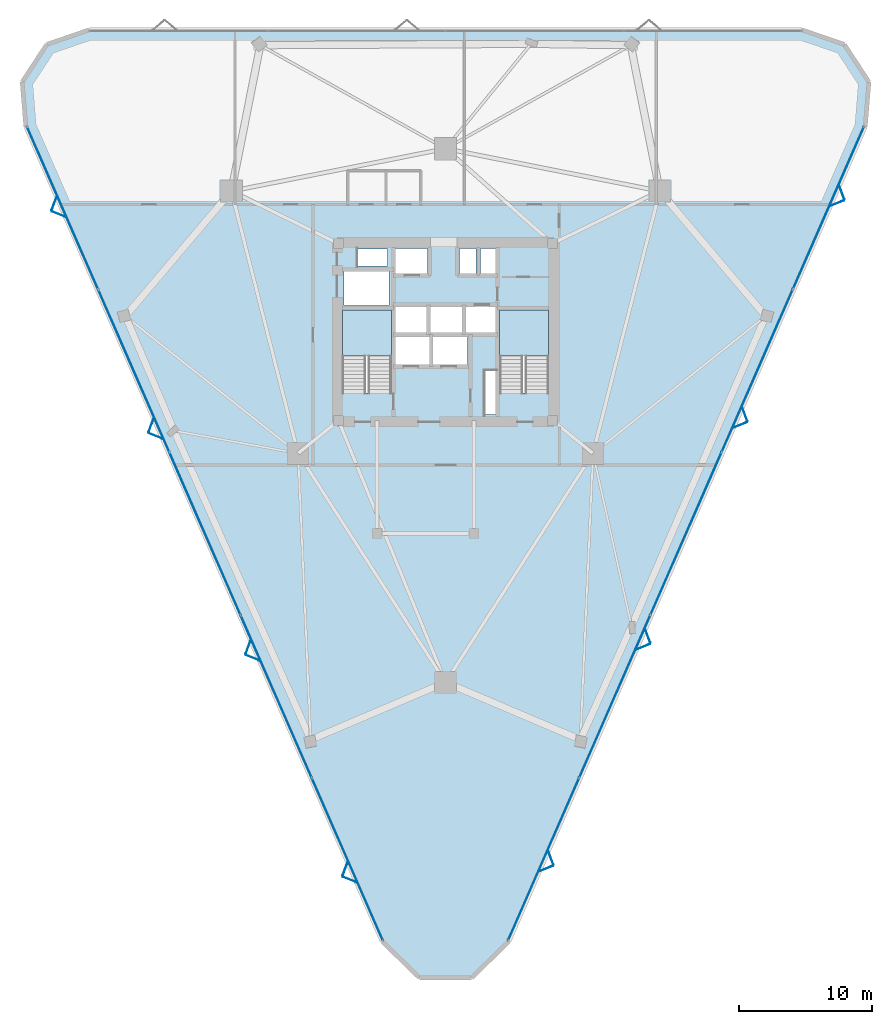
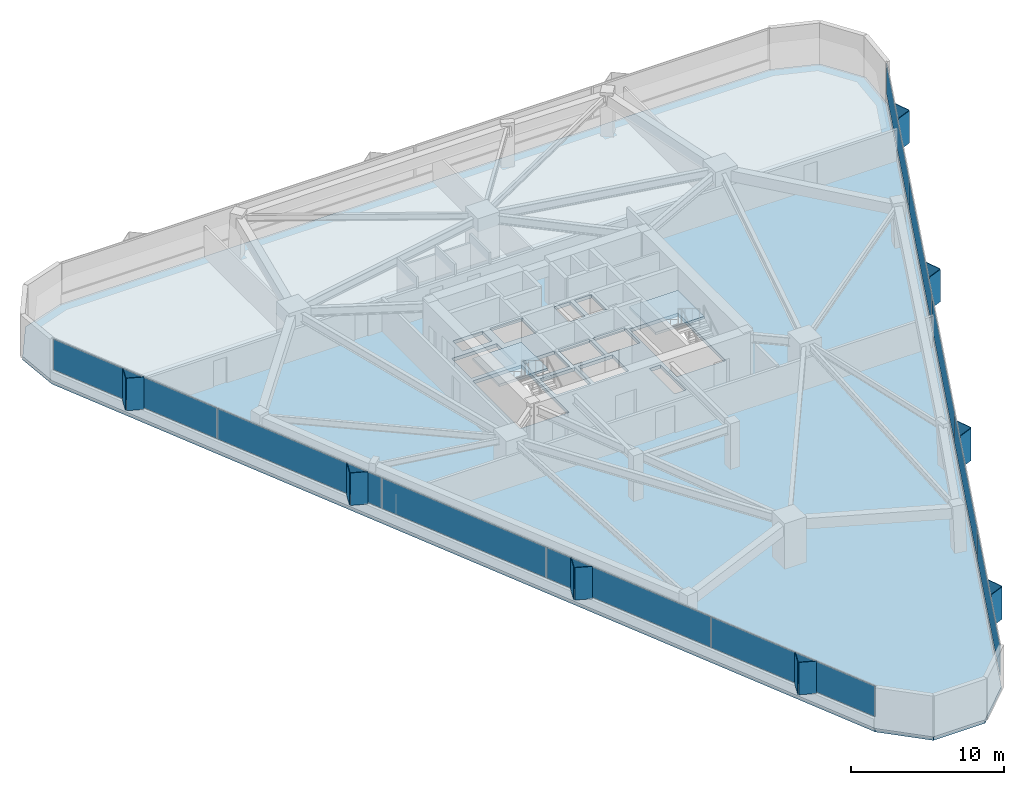
# One storey, part 13 of 20: 26 plates, 3 slabs, 4 elements without a shape of their own.
"""IFC4 building model written with IfcOpenShell, lengths in metres."""

import ifcopenshell
import ifcopenshell.guid

model = None  # the IFC model being written
_history = None  # IfcOwnerHistory: only IFC2X3 demands one
_inside = {}  # id of a spatial element -> (the spatial element, [elements in it])
_under = {}  # id of a project, library or spatial element -> (it, [spatial elements below it])
_declared = {}  # id of a project -> (the project, [libraries it declares])
_typed = {}  # id of a type object -> (the type object, [elements of that type])
_made_of = {}  # id of a material, layer set ... -> (it, [elements and type objects made of it])


def new_model(schema):
    """Start an empty IFC model of exactly this schema.

    Asked for "IFC4X3", IfcOpenShell would pick the latest addendum, in which some entities
    have other attributes; the version numbers below select the first issue.
    IFC2X3 requires an IfcOwnerHistory on every rooted entity: one is made here for all.
    """
    global model, _history
    if schema == "IFC4X3":
        model = ifcopenshell.file(schema_version=(4, 3, 0, 0))
    else:
        model = ifcopenshell.file(schema=schema)
    _inside.clear()
    _under.clear()
    _declared.clear()
    _typed.clear()
    _made_of.clear()
    _history = None
    if model.schema == "IFC2X3":
        org = make("IfcOrganization", Name="unknown")
        user = make(
            "IfcPersonAndOrganization",
            ThePerson=make("IfcPerson", FamilyName="unknown"),
            TheOrganization=org,
        )
        app = make(
            "IfcApplication",
            ApplicationDeveloper=org,
            Version="unknown",
            ApplicationFullName="unknown",
            ApplicationIdentifier="unknown",
        )
        _history = make(
            "IfcOwnerHistory",
            OwningUser=user,
            OwningApplication=app,
            ChangeAction="ADDED",
            CreationDate=0,
        )
    return model


def make(cls, **values):
    """One entity of the class cls with the attributes given. An attribute that is None is left unset."""
    return model.create_entity(
        cls, **{name: value for name, value in values.items() if value is not None}
    )


def rooted(cls, **values):
    """An entity with a GlobalId (a new one), such as an element, a storey or a relation."""
    return make(cls, GlobalId=ifcopenshell.guid.new(), OwnerHistory=_history, **values)


def si_unit(unit_type, name, prefix=None):
    """IfcSIUnit, for example si_unit("LENGTHUNIT", "METRE", prefix="MILLI")."""
    return make("IfcSIUnit", UnitType=unit_type, Prefix=prefix, Name=name)


def assignment(units):
    """IfcUnitAssignment: the units of a project."""
    return None if units is None else make("IfcUnitAssignment", Units=units)


def point(xyz):
    """IfcCartesianPoint."""
    return None if xyz is None else make("IfcCartesianPoint", Coordinates=xyz)


def direction(xyz):
    """IfcDirection."""
    return None if xyz is None else make("IfcDirection", DirectionRatios=xyz)


def frame(location, z_axis=None, x_axis=None):
    """IfcAxis2Placement3D, a coordinate frame: its origin and axes. An axis left out is left unset."""
    return make(
        "IfcAxis2Placement3D",
        Location=point(location),
        Axis=direction(z_axis),
        RefDirection=direction(x_axis),
    )


def frame_2d(location, x_axis=None):
    """IfcAxis2Placement2D, a coordinate frame in the plane: its origin and x axis."""
    return make(
        "IfcAxis2Placement2D", Location=point(location), RefDirection=direction(x_axis)
    )


def origin():
    """The frame at (0, 0, 0) with its axes left unset."""
    return frame((0.0, 0.0, 0.0))


def origin_2d():
    """The frame at (0, 0) in the plane with its x axis left unset."""
    return frame_2d((0.0, 0.0))


def place(relative_to, where):
    """IfcLocalPlacement: puts the frame where relative to a parent placement (None: the world)."""
    return make(
        "IfcLocalPlacement", PlacementRelTo=relative_to, RelativePlacement=where
    )


def context(
    kind, dimensions, precision=None, world=None, true_north=None, identifier=None
):
    """IfcGeometricRepresentationContext, for example the 3D "Model" context."""
    return make(
        "IfcGeometricRepresentationContext",
        ContextIdentifier=identifier,
        ContextType=kind,
        CoordinateSpaceDimension=dimensions,
        Precision=precision,
        WorldCoordinateSystem=world,
        TrueNorth=true_north,
    )


def subcontext(parent, identifier, kind, view, scale=None):
    """IfcGeometricRepresentationSubContext, for example "Body" below "Model"."""
    return make(
        "IfcGeometricRepresentationSubContext",
        ContextIdentifier=identifier,
        ContextType=kind,
        ParentContext=parent,
        TargetScale=scale,
        TargetView=view,
    )


def project(units=None, contexts=None):
    """IfcProject with its units and contexts."""
    return rooted(
        "IfcProject",
        Name="project",
        RepresentationContexts=contexts,
        UnitsInContext=assignment(units),
    )


def spatial(cls, under=None, at=None, **own):
    """A site, building, storey or space (cls), placed at a placement, below another one or the project."""
    s = rooted(cls, ObjectPlacement=at, **own)
    if under is not None:
        _under.setdefault(under.id(), (under, []))[1].append(s)
    return s


def polyline(points):
    """IfcPolyline through the points."""
    return make("IfcPolyline", Points=[point(p) for p in points])


def profile(cls, at=None, kind="AREA", **sizes):
    """A parametric profile (cls). Its sizes go by their IFC names, for example OverallWidth=200.0."""
    return make(cls, ProfileType=kind, Position=at, **sizes)


def rectangle(**sizes):
    """IfcRectangleProfileDef."""
    return profile("IfcRectangleProfileDef", **sizes)


def outline(outer, holes=None, kind="AREA"):
    """IfcArbitraryClosedProfileDef: a profile drawn as a closed curve; with holes, ...WithVoids."""
    if holes is None:
        return make("IfcArbitraryClosedProfileDef", ProfileType=kind, OuterCurve=outer)
    return make(
        "IfcArbitraryProfileDefWithVoids",
        ProfileType=kind,
        OuterCurve=outer,
        InnerCurves=holes,
    )


def extrude(swept, where, along, depth):
    """IfcExtrudedAreaSolid: the profile swept, set in the frame where, extruded along a direction by depth."""
    return make(
        "IfcExtrudedAreaSolid",
        SweptArea=swept,
        Position=where,
        ExtrudedDirection=direction(along),
        Depth=depth,
    )


def shape(context_of_items, identifier, shape_type, items):
    """IfcShapeRepresentation: the items that make up one representation, for example the "Body"."""
    return make(
        "IfcShapeRepresentation",
        ContextOfItems=context_of_items,
        RepresentationIdentifier=identifier,
        RepresentationType=shape_type,
        Items=items,
    )


def material(Name=None, Category=None):
    """IfcMaterial."""
    return make("IfcMaterial", Name=Name, Category=Category)


def layer(
    of_material, thickness, ventilated=None, Name=None, Category=None, Priority=None
):
    """IfcMaterialLayer: one layer of a wall or slab, of a material (None: an air gap)."""
    return make(
        "IfcMaterialLayer",
        Material=of_material,
        LayerThickness=thickness,
        IsVentilated=ventilated,
        Name=Name,
        Category=Category,
        Priority=Priority,
    )


def layer_set(layers, Name=None):
    """IfcMaterialLayerSet."""
    return make("IfcMaterialLayerSet", MaterialLayers=layers, LayerSetName=Name)


def made_of(thing, what):
    """Note that an element or type object is made of a material, layer set ...; save() writes the relation."""
    if what is not None:
        _made_of.setdefault(what.id(), (what, []))[1].append(thing)
    return thing


def type_object(cls, material=None, **own):
    """A type object (cls), such as IfcWallType, which elements share."""
    return made_of(rooted(cls, **own), material)


def element(
    cls,
    number,
    at=None,
    inside=None,
    cuts=None,
    type_object=None,
    material=None,
    context=None,
    identifier="Body",
    shape_type=None,
    held_by="IfcProductDefinitionShape",
    body=None,
    shapes=None,
    **own,
):
    """One element of the class cls, such as IfcWall. Its Tag is "e" and its number.

    at: its placement. inside: the storey or other place that contains it. cuts: it is an
    opening in that element (IfcRelVoidsElement). A single representation is given by context,
    identifier, shape_type and body (its items); several are given by shapes. held_by: the class
    of the entity that holds the representations. save() writes the other relations.
    """
    e = rooted(cls, Tag="e%d" % number, ObjectPlacement=at, **own)
    if body is not None:
        shapes = [shape(context, identifier, shape_type, body)]
    if shapes is not None:
        e.Representation = make(held_by, Representations=shapes)
    if inside is not None:
        _inside.setdefault(inside.id(), (inside, []))[1].append(e)
    if cuts is not None:
        rooted(
            "IfcRelVoidsElement", RelatingBuildingElement=cuts, RelatedOpeningElement=e
        )
    if type_object is not None:
        _typed.setdefault(type_object.id(), (type_object, []))[1].append(e)
    return made_of(e, material)


def aggregate(whole, parts):
    """IfcRelAggregates: a whole, such as a stair, and the parts it consists of."""
    return rooted("IfcRelAggregates", RelatingObject=whole, RelatedObjects=parts)


def save(model, path):
    """Write the relations noted so far, then the file.

    IfcRelAggregates (storeys below a building ...), IfcRelContainedInSpatialStructure (elements
    in a storey), IfcRelDefinesByType, IfcRelAssociatesMaterial and IfcRelDeclares: one each for
    every whole, place, type object, material and project.
    """
    for whole, parts in _under.values():
        aggregate(whole, parts)
    for where, things in _inside.values():
        rooted(
            "IfcRelContainedInSpatialStructure",
            RelatedElements=things,
            RelatingStructure=where,
        )
    for kind, things in _typed.values():
        rooted("IfcRelDefinesByType", RelatedObjects=things, RelatingType=kind)
    for what, things in _made_of.values():
        rooted("IfcRelAssociatesMaterial", RelatedObjects=things, RelatingMaterial=what)
    for by, libraries in _declared.values():
        rooted("IfcRelDeclares", RelatingContext=by, RelatedDefinitions=libraries)
    model.write(path)


model = new_model("IFC4")

# Units and contexts
model_context = context("Model", 3, precision=1e-05, world=origin(), true_north=direction((0.0, 1.0)))
body_context = subcontext(model_context, "Body", "Model", "MODEL_VIEW")
ifc_project = project(units=[si_unit("LENGTHUNIT", "METRE"), si_unit("AREAUNIT", "SQUARE_METRE"), si_unit("VOLUMEUNIT", "CUBIC_METRE"), si_unit("PLANEANGLEUNIT", "RADIAN"), si_unit("MASSUNIT", "GRAM", prefix="KILO")], contexts=[model_context])

# Site, building, storey
site_placement = place(None, origin())
site = spatial("IfcSite", under=ifc_project, at=site_placement, CompositionType="ELEMENT")
building_placement = place(site_placement, origin())
building = spatial("IfcBuilding", under=site, at=building_placement, Name="Talyreon Biosciences Tower", CompositionType="ELEMENT")
storey_placement = place(building_placement, frame((0.0, 0.0, 78.64990234375)))
storey = spatial("IfcBuildingStorey", under=building, at=storey_placement, Name="L20", CompositionType="ELEMENT", Elevation=78.64990234375)

# Curtain wall, plates
ifc_material_1 = material(Name="Thermally broken aluminium and low-E glazing", Category="aluminium")
ifc_layer_1 = layer(ifc_material_1, 0.18994140625)
ifc_layer_set_1 = layer_set([ifc_layer_1], Name="Thermally broken aluminium and low-E glazing")
curtain_wall_type = type_object("IfcCurtainWallType", Name="CurtainWall_Zone2Genomics", PredefinedType="NOTDEFINED", material=ifc_layer_set_1)
curtain_wall_1_placement = place(storey_placement, origin())
curtain_wall_1 = element("IfcCurtainWall", 1, at=curtain_wall_1_placement, inside=storey, type_object=curtain_wall_type, Name="L20 Unitised Curtain Wall FCW-L20-00", PredefinedType="NOTDEFINED")
ifc_material_2 = material(Name="Triple-silver low-E insulated glazing", Category="glass")
ifc_layer_2 = layer(ifc_material_2, 0.031982421875)
ifc_layer_set_2 = layer_set([ifc_layer_2], Name="Triple-silver low-E insulated glazing")
plate_type_1 = type_object("IfcPlateType", Name="CWGlazingPanel_32", PredefinedType="CURTAIN_PANEL", material=ifc_layer_set_2)
plate_1_placement = place(storey_placement, frame((58.6240234375, 28.36279296875, 0.875), z_axis=(0.0, 0.0, 1.0), x_axis=(-0.400689421314, 0.916213942072, 0.0)))
plate_1 = element("IfcPlate", 2, at=plate_1_placement, type_object=plate_type_1, Name="CW3 panel 1.1", PredefinedType="CURTAIN_PANEL", context=body_context, shape_type="SweptSolid", body=[
    extrude(rectangle(XDim=13.271728515625, YDim=0.031982421875, at=origin_2d()), origin(), (0.0, 0.0, 1.0), 2.43505859375),
])
plate_2_placement = place(storey_placement, frame((53.273681640625, 40.596923828125, 0.875), z_axis=(0.0, 0.0, 1.0), x_axis=(-0.400689421314, 0.916213942072, 0.0)))
plate_2 = element("IfcPlate", 3, at=plate_2_placement, type_object=plate_type_1, Name="CW3 panel 2.1", PredefinedType="CURTAIN_PANEL", context=body_context, shape_type="SweptSolid", body=[
    extrude(rectangle(XDim=13.30419921875, YDim=0.031982421875, at=origin_2d()), origin(), (0.0, 0.0, 1.0), 2.43505859375),
])
plate_3_placement = place(storey_placement, frame((47.916748046875, 52.845947265625, 0.875), z_axis=(0.0, 0.0, 1.0), x_axis=(-0.400689421314, 0.916213942072, 0.0)))
plate_3 = element("IfcPlate", 4, at=plate_3_placement, type_object=plate_type_1, Name="CW3 panel 3.1", PredefinedType="CURTAIN_PANEL", context=body_context, shape_type="SweptSolid", body=[
    extrude(rectangle(XDim=13.30419921875, YDim=0.031982421875, at=origin_2d()), origin(), (0.0, 0.0, 1.0), 2.43505859375),
])
plate_4_placement = place(storey_placement, frame((42.559814453125, 65.09521484375, 0.875), z_axis=(0.0, 0.0, 1.0), x_axis=(-0.400689421314, 0.916213942072, 0.0)))
plate_4 = element("IfcPlate", 5, at=plate_4_placement, type_object=plate_type_1, Name="CW3 panel 4.1", PredefinedType="CURTAIN_PANEL", context=body_context, shape_type="SweptSolid", body=[
    extrude(rectangle(XDim=13.30419921875, YDim=0.031982421875, at=origin_2d()), origin(), (0.0, 0.0, 1.0), 2.43505859375),
])
plate_5_placement = place(storey_placement, frame((37.20947265625, 77.329345703125, 0.875), z_axis=(0.0, 0.0, 1.0), x_axis=(-0.400689421314, 0.916213942072, 0.0)))
plate_5 = element("IfcPlate", 6, at=plate_5_placement, type_object=plate_type_1, Name="CW3 panel 5.1", PredefinedType="CURTAIN_PANEL", context=body_context, shape_type="SweptSolid", body=[
    extrude(rectangle(XDim=13.271728515625, YDim=0.031982421875, at=origin_2d()), origin(), (0.0, 0.0, 1.0), 2.43505859375),
])
aggregate(curtain_wall_1, [plate_1, plate_2, plate_3, plate_4, plate_5])

curtain_wall_2_placement = place(storey_placement, origin())
curtain_wall_2 = element("IfcCurtainWall", 7, at=curtain_wall_2_placement, inside=storey, type_object=curtain_wall_type, Name="L20 Unitised Curtain Wall FCW-L20-08", PredefinedType="NOTDEFINED")
plate_6_placement = place(storey_placement, frame((94.79052734375, 77.329345703125, 0.875), z_axis=(0.0, 0.0, 1.0), x_axis=(-0.400689421314, -0.916213942072, 0.0)))
plate_6 = element("IfcPlate", 8, at=plate_6_placement, type_object=plate_type_1, Name="CW3 panel 1.1", PredefinedType="CURTAIN_PANEL", context=body_context, shape_type="SweptSolid", body=[
    extrude(rectangle(XDim=13.271728515625, YDim=0.031982421875, at=origin_2d()), origin(), (0.0, 0.0, 1.0), 2.43505859375),
])
plate_7_placement = place(storey_placement, frame((89.440185546875, 65.09521484375, 0.875), z_axis=(0.0, 0.0, 1.0), x_axis=(-0.400689421314, -0.916213942072, 0.0)))
plate_7 = element("IfcPlate", 9, at=plate_7_placement, type_object=plate_type_1, Name="CW3 panel 2.1", PredefinedType="CURTAIN_PANEL", context=body_context, shape_type="SweptSolid", body=[
    extrude(rectangle(XDim=13.30419921875, YDim=0.031982421875, at=origin_2d()), origin(), (0.0, 0.0, 1.0), 2.43505859375),
])
plate_8_placement = place(storey_placement, frame((84.083251953125, 52.845947265625, 0.875), z_axis=(0.0, 0.0, 1.0), x_axis=(-0.400689421314, -0.916213942072, 0.0)))
plate_8 = element("IfcPlate", 10, at=plate_8_placement, type_object=plate_type_1, Name="CW3 panel 3.1", PredefinedType="CURTAIN_PANEL", context=body_context, shape_type="SweptSolid", body=[
    extrude(rectangle(XDim=13.30419921875, YDim=0.031982421875, at=origin_2d()), origin(), (0.0, 0.0, 1.0), 2.43505859375),
])
plate_9_placement = place(storey_placement, frame((78.726318359375, 40.596923828125, 0.875), z_axis=(0.0, 0.0, 1.0), x_axis=(-0.400689421314, -0.916213942072, 0.0)))
plate_9 = element("IfcPlate", 11, at=plate_9_placement, type_object=plate_type_1, Name="CW3 panel 4.1", PredefinedType="CURTAIN_PANEL", context=body_context, shape_type="SweptSolid", body=[
    extrude(rectangle(XDim=13.30419921875, YDim=0.031982421875, at=origin_2d()), origin(), (0.0, 0.0, 1.0), 2.43505859375),
])
plate_10_placement = place(storey_placement, frame((73.3759765625, 28.36279296875, 0.875), z_axis=(0.0, 0.0, 1.0), x_axis=(-0.400689421314, -0.916213942072, 0.0)))
plate_10 = element("IfcPlate", 12, at=plate_10_placement, type_object=plate_type_1, Name="CW3 panel 5.1", PredefinedType="CURTAIN_PANEL", context=body_context, shape_type="SweptSolid", body=[
    extrude(rectangle(XDim=13.271728515625, YDim=0.031982421875, at=origin_2d()), origin(), (0.0, 0.0, 1.0), 2.43505859375),
])
aggregate(curtain_wall_2, [plate_6, plate_7, plate_8, plate_9, plate_10])

# Plates
ifc_material_3 = material(Name="Ivory GFRC sunshade panel", Category="concrete")
ifc_layer_3 = layer(ifc_material_3, 0.044921875)
ifc_layer_set_3 = layer_set([ifc_layer_3], Name="Ivory GFRC sunshade panel")
plate_type_2 = type_object("IfcPlateType", Name="FoldedVSunshade_SunFace_SUNSHADE", PredefinedType="USERDEFINED", material=ifc_layer_set_3)
for number, where, z_axis, x_axis, name in (
    (13, (58.814208984375, 26.82958984375, 0.7900390625), (0.0, 0.0, 1.0), (-0.924685641097, 0.380731486942, 0.0), "L20 Folded V-Sunshade Panel 00.01L"),
    (14, (58.45361328125, 27.654296875, 0.7900390625), (0.0, 0.0, 1.0), (0.348228492125, 0.937409684862, 0.0), "L20 Folded V-Sunshade Panel 00.01R"),
    (15, (51.521728515625, 43.504638671875, 0.7900390625), (0.0, 0.0, 1.0), (-0.924685641097, 0.380731486942, 0.0), "L20 Folded V-Sunshade Panel 00.02L"),
    (16, (51.1611328125, 44.329345703125, 0.7900390625), (0.0, 0.0, 1.0), (0.348228492125, 0.937409684862, 0.0), "L20 Folded V-Sunshade Panel 00.02R"),
    (17, (44.229248046875, 60.1796875, 0.7900390625), (0.0, 0.0, 1.0), (-0.924685641097, 0.380731486942, 0.0), "L20 Folded V-Sunshade Panel 00.03L"),
    (18, (43.868408203125, 61.00439453125, 0.7900390625), (0.0, 0.0, 1.0), (0.348228492125, 0.937409684862, 0.0), "L20 Folded V-Sunshade Panel 00.03R"),
    (19, (36.9365234375, 76.85498046875, 0.7900390625), (0.0, 0.0, 1.0), (-0.924685641097, 0.380731486942, 0.0), "L20 Folded V-Sunshade Panel 00.04L"),
    (20, (36.575927734375, 77.679443359375, 0.7900390625), (0.0, 0.0, 1.0), (0.348228492125, 0.937409684862, 0.0), "L20 Folded V-Sunshade Panel 00.04R"),
    (21, (95.787109375, 78.509765625, 0.7900390625), (0.0, 0.0, 1.0), (0.348228492125, -0.937409684862, 0.0), "L20 Folded V-Sunshade Panel 08.01L"),
    (22, (95.426513671875, 77.685302734375, 0.7900390625), (0.0, 0.0, 1.0), (-0.924685641097, -0.380731486942, 0.0), "L20 Folded V-Sunshade Panel 08.01R"),
    (23, (88.49462890625, 61.834716796875, 0.7900390625), (0.0, 0.0, 1.0), (0.348228492125, -0.937409684862, 0.0), "L20 Folded V-Sunshade Panel 08.02L"),
    (24, (88.134033203125, 61.010009765625, 0.7900390625), (0.0, 0.0, 1.0), (-0.924685641097, -0.380731486942, 0.0), "L20 Folded V-Sunshade Panel 08.02R"),
    (25, (81.201904296875, 45.15966796875, 0.7900390625), (0.0, 0.0, 1.0), (0.348228492125, -0.937409684862, 0.0), "L20 Folded V-Sunshade Panel 08.03L"),
    (26, (80.84130859375, 44.3349609375, 0.7900390625), (0.0, 0.0, 1.0), (-0.924685641097, -0.380731486942, 0.0), "L20 Folded V-Sunshade Panel 08.03R"),
    (27, (73.909423828125, 28.484619140625, 0.7900390625), (0.0, 0.0, 1.0), (0.348228492125, -0.937409684862, 0.0), "L20 Folded V-Sunshade Panel 08.04L"),
    (28, (73.548828125, 27.659912109375, 0.7900390625), (0.0, 0.0, 1.0), (-0.924685641097, -0.380731486942, 0.0), "L20 Folded V-Sunshade Panel 08.04R"),
):
    element("IfcPlate", number, at=place(storey_placement, frame(where, z_axis=z_axis, x_axis=x_axis)), inside=storey, type_object=plate_type_2, Name=name, ObjectType="SUNSHADE", PredefinedType="USERDEFINED", context=body_context, shape_type="SweptSolid", body=[
        extrude(rectangle(XDim=1.14990234375, YDim=0.044921875, at=origin_2d()), origin(), (0.0, 0.0, 1.0), 2.5849609375),
    ])

# Stair, slab
ifc_material_4 = material(Name="Concrete C40/50", Category="concrete")
stair_type = type_object("IfcStairType", Name="DoglegEscapeStair_3650", PredefinedType="HALF_TURN_STAIR", material=ifc_material_4)
stair_1_placement = place(storey_placement, origin())
stair_1 = element("IfcStair", 29, at=stair_1_placement, inside=storey, type_object=stair_type, Name="L20 Core Escape Stair 1", PredefinedType="HALF_TURN_STAIR")
ifc_layer_4 = layer(ifc_material_4, 0.199951171875)
ifc_layer_set_4 = layer_set([ifc_layer_4], Name="Concrete C40/50")
slab_type_1 = type_object("IfcSlabType", Name="StairLandingSlab_200", PredefinedType="LANDING", material=ifc_layer_set_4)
slab_1_placement = place(storey_placement, frame((0.0, 0.0, 1.625)))
slab_1 = element("IfcSlab", 30, at=slab_1_placement, type_object=slab_type_1, Name="ST-1 landing 1", PredefinedType="LANDING", context=body_context, shape_type="SweptSolid", body=[
    extrude(outline(polyline([(61.929931640625, 66.199951171875), (61.929931640625, 69.64990234375), (58.25, 69.64990234375), (58.25, 66.199951171875), (61.929931640625, 66.199951171875)])), origin(), (0.0, 0.0, 1.0), 0.2001953125),
])
aggregate(stair_1, [slab_1])

stair_2_placement = place(storey_placement, origin())
stair_2 = element("IfcStair", 31, at=stair_2_placement, inside=storey, type_object=stair_type, Name="L20 Core Escape Stair 2", PredefinedType="HALF_TURN_STAIR")
slab_2_placement = place(storey_placement, frame((0.0, 0.0, 1.625)))
slab_2 = element("IfcSlab", 32, at=slab_2_placement, type_object=slab_type_1, Name="ST-2 landing 1", PredefinedType="LANDING", context=body_context, shape_type="SweptSolid", body=[
    extrude(outline(polyline([(73.75, 66.199951171875), (73.75, 69.64990234375), (70.070068359375, 69.64990234375), (70.070068359375, 66.199951171875), (73.75, 66.199951171875)])), origin(), (0.0, 0.0, 1.0), 0.2001953125),
])
aggregate(stair_2, [slab_2])

# Slab
ifc_layer_5 = layer(ifc_material_4, 0.27490234375)
ifc_layer_set_5 = layer_set([ifc_layer_5], Name="Concrete C40/50")
slab_type_2 = type_object("IfcSlabType", Name="WetLabFloorSlab_275", PredefinedType="FLOOR", material=ifc_layer_set_5)
slab_3_placement = place(storey_placement, frame((0.0, 0.0, -0.27490234375)))
element("IfcSlab", 33, at=slab_3_placement, inside=storey, type_object=slab_type_2, Name="L20 Structural Floor Slab", PredefinedType="FLOOR", context=body_context, shape_type="SweptSolid", body=[
    extrude(outline(polyline([(61.235595703125, 22.191162109375), (34.451171875, 83.436767578125), (34.175537109375, 86.800537109375), (36.02294921875, 89.625), (39.21533203125, 90.72021484375), (92.78466796875, 90.72021484375), (95.97705078125, 89.625), (97.824462890625, 86.800537109375), (97.548828125, 83.436767578125), (70.764404296875, 22.191162109375), (67.95849609375, 19.457763671875), (64.04150390625, 19.457763671875), (61.235595703125, 22.191162109375)]), holes=[polyline([(61.929931640625, 69.64990234375), (61.929931640625, 63.407958984375), (58.25, 63.407958984375), (58.25, 69.64990234375), (61.929931640625, 69.64990234375)]), polyline([(64.800048828125, 65.550048828125), (62.199951171875, 65.550048828125), (62.199951171875, 67.64990234375), (64.800048828125, 67.64990234375), (64.800048828125, 65.550048828125)]), polyline([(64.60009765625, 67.949951171875), (62.199951171875, 67.949951171875), (62.199951171875, 69.949951171875), (64.60009765625, 69.949951171875), (64.60009765625, 67.949951171875)]), polyline([(67.25, 69.949951171875), (67.25, 67.949951171875), (64.85009765625, 67.949951171875), (64.85009765625, 69.949951171875), (67.25, 69.949951171875)]), polyline([(61.75, 69.97998046875), (58.35009765625, 69.97998046875), (58.35009765625, 72.550048828125), (61.75, 72.550048828125), (61.75, 69.97998046875)]), polyline([(64.64990234375, 72.35009765625), (62.199951171875, 72.35009765625), (62.199951171875, 74.300048828125), (64.64990234375, 74.300048828125), (64.64990234375, 72.35009765625)]), polyline([(61.64990234375, 74.25), (61.64990234375, 72.9599609375), (59.39990234375, 72.9599609375), (59.39990234375, 74.25), (61.64990234375, 74.25)]), polyline([(69.820068359375, 61.800048828125), (68.9599609375, 61.800048828125), (68.9599609375, 65.10009765625), (69.820068359375, 65.10009765625), (69.820068359375, 61.800048828125)]), polyline([(73.75, 63.407958984375), (70.070068359375, 63.407958984375), (70.070068359375, 69.64990234375), (73.75, 69.64990234375), (73.75, 63.407958984375)]), polyline([(67.64990234375, 65.550048828125), (65.050048828125, 65.550048828125), (65.050048828125, 67.64990234375), (67.64990234375, 67.64990234375), (67.64990234375, 65.550048828125)]), polyline([(69.89990234375, 67.949951171875), (67.5, 67.949951171875), (67.5, 69.949951171875), (69.89990234375, 69.949951171875), (69.89990234375, 67.949951171875)]), polyline([(68.300048828125, 72.35009765625), (67.050048828125, 72.35009765625), (67.050048828125, 74.300048828125), (68.300048828125, 74.300048828125), (68.300048828125, 72.35009765625)]), polyline([(69.919921875, 72.35009765625), (68.6201171875, 72.35009765625), (68.6201171875, 74.300048828125), (69.919921875, 74.300048828125), (69.919921875, 72.35009765625)])]), origin(), (0.0, 0.0, 1.0), 0.27490234375),
])

save(model, "model.ifc")
